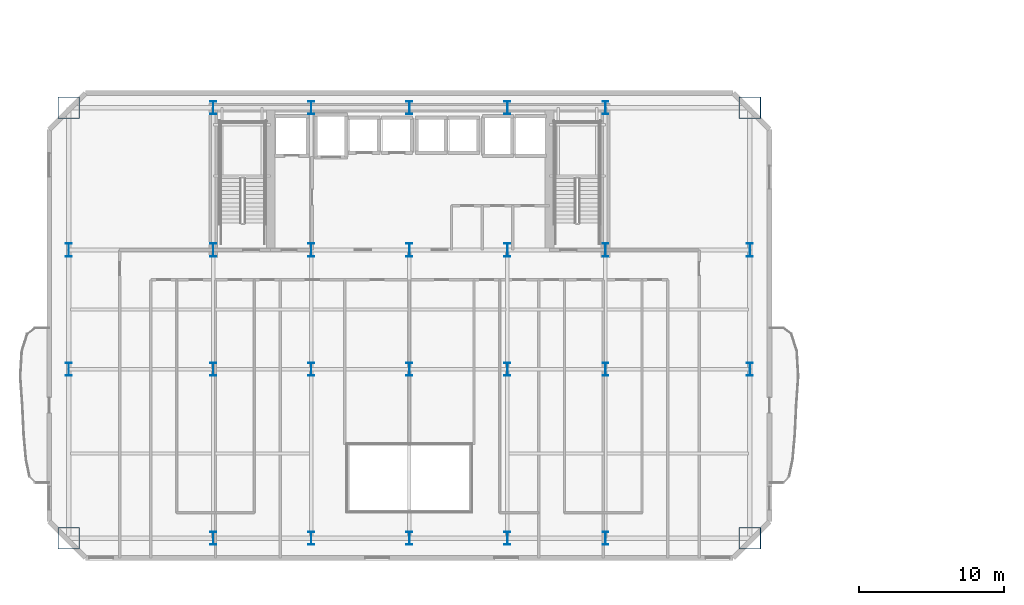
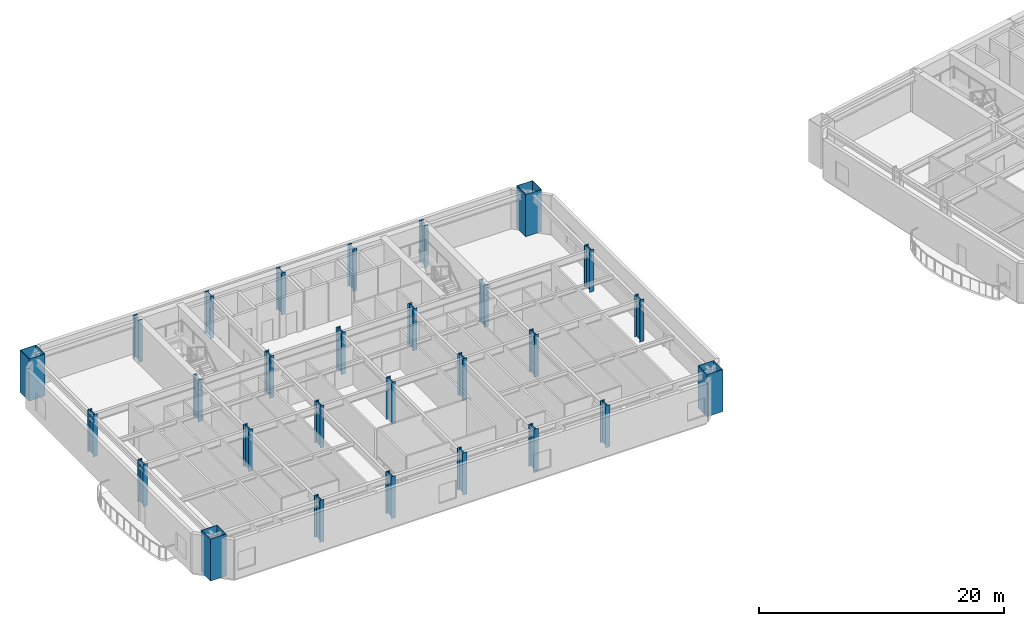
# One storey, part 1 of 15: 28 columns.
"""IFC4 building model written with IfcOpenShell, lengths in metres."""

from ifc_helpers import new_model, si_unit, direction, frame, origin, origin_2d, place, context, subcontext, project, spatial, hollow_rectangle, i_section, extrude, material, material_profile, profile_set, type_object, element, save


model = new_model("IFC4")

# Units and contexts
model_context = context("Model", 3, precision=1e-05, world=origin(), true_north=direction((0.0, 1.0)))
body_context = subcontext(model_context, "Body", "Model", "MODEL_VIEW")
ifc_project = project(units=[si_unit("LENGTHUNIT", "METRE"), si_unit("AREAUNIT", "SQUARE_METRE"), si_unit("VOLUMEUNIT", "CUBIC_METRE"), si_unit("PLANEANGLEUNIT", "RADIAN"), si_unit("MASSUNIT", "GRAM", prefix="KILO")], contexts=[model_context])

# Site, building, storey
site_placement = place(None, origin())
site = spatial("IfcSite", under=ifc_project, at=site_placement, CompositionType="ELEMENT")
building_placement = place(site_placement, origin())
building = spatial("IfcBuilding", under=site, at=building_placement, Name="Haevon Station Towers", CompositionType="ELEMENT")
storey_placement = place(building_placement, frame((0.0, 0.0, 73.5)))
storey = spatial("IfcBuildingStorey", under=building, at=storey_placement, Name="L19", CompositionType="ELEMENT", Elevation=73.5)

# Columns
ifc_material = material(Name="Steel S460", Category="steel")
ifc_material_profile_1 = material_profile(ifc_material, hollow_rectangle(XDim=1.5, YDim=1.5, WallThickness=0.0400390625, at=origin_2d()), Name="BOX-1500x1500x40")
ifc_profile_set_1 = profile_set([ifc_material_profile_1], Name="Steel S460")
column_type_1 = type_object("IfcColumnType", Name="COL-MC2", PredefinedType="COLUMN", material=ifc_profile_set_1)
for number, where, z_axis, x_axis, name in (
    (1, (14.050048828125, 18.35009765625, 0.0), (0.0, 0.0, 1.0), (1.0, 0.0, 0.0), "COL-T1-L19-01-01"),
    (2, (14.050048828125, 48.0, 0.0), (0.0, 0.0, 1.0), (1.0, 0.0, 0.0), "COL-T1-L19-01-04"),
    (3, (60.949951171875, 18.35009765625, 0.0), (0.0, 0.0, 1.0), (1.0, 0.0, 0.0), "COL-T1-L19-07-01"),
    (4, (60.949951171875, 48.0, 0.0), (0.0, 0.0, 1.0), (1.0, 0.0, 0.0), "COL-T1-L19-07-04"),
):
    element("IfcColumn", number, at=place(storey_placement, frame(where, z_axis=z_axis, x_axis=x_axis)), inside=storey, type_object=column_type_1, Name=name, PredefinedType="COLUMN", context=body_context, shape_type="SweptSolid", body=[
        extrude(hollow_rectangle(XDim=1.5, YDim=1.5, WallThickness=0.0400390625, at=origin_2d()), origin(), (0.0, 0.0, 1.0), 4.199951171875),
    ])
ifc_material_profile_2 = material_profile(ifc_material, i_section(OverallWidth=0.39990234375, OverallDepth=0.89990234375, WebThickness=0.02001953125, FlangeThickness=0.035888671875, at=origin_2d()), Name="H-900x400x20x36")
ifc_profile_set_2 = profile_set([ifc_material_profile_2], Name="Steel S460")
column_type_2 = type_object("IfcColumnType", Name="COL-TW1", PredefinedType="COLUMN", material=ifc_profile_set_2)
for number, where, z_axis, x_axis, name in (
    (5, (14.050048828125, 30.0, 0.0), (0.0, 0.0, 1.0), (1.0, 0.0, 0.0), "COL-T1-L19-01-02"),
    (6, (14.050048828125, 38.199951171875, 0.0), (0.0, 0.0, 1.0), (1.0, 0.0, 0.0), "COL-T1-L19-01-03"),
    (7, (24.0, 18.35009765625, 0.0), (0.0, 0.0, 1.0), (1.0, 0.0, 0.0), "COL-T1-L19-02-01"),
    (8, (24.0, 30.0, 0.0), (0.0, 0.0, 1.0), (1.0, 0.0, 0.0), "COL-T1-L19-02-02"),
    (9, (24.0, 38.199951171875, 0.0), (0.0, 0.0, 1.0), (1.0, 0.0, 0.0), "COL-T1-L19-02-03"),
    (10, (24.0, 48.0, 0.0), (0.0, 0.0, 1.0), (1.0, 0.0, 0.0), "COL-T1-L19-02-04"),
    (11, (30.75, 18.35009765625, 0.0), (0.0, 0.0, 1.0), (1.0, 0.0, 0.0), "COL-T1-L19-03-01"),
    (12, (30.75, 30.0, 0.0), (0.0, 0.0, 1.0), (1.0, 0.0, 0.0), "COL-T1-L19-03-02"),
    (13, (30.75, 38.199951171875, 0.0), (0.0, 0.0, 1.0), (1.0, 0.0, 0.0), "COL-T1-L19-03-03"),
    (14, (30.75, 48.0, 0.0), (0.0, 0.0, 1.0), (1.0, 0.0, 0.0), "COL-T1-L19-03-04"),
    (15, (37.5, 18.35009765625, 0.0), (0.0, 0.0, 1.0), (1.0, 0.0, 0.0), "COL-T1-L19-04-01"),
    (16, (37.5, 30.0, 0.0), (0.0, 0.0, 1.0), (1.0, 0.0, 0.0), "COL-T1-L19-04-02"),
    (17, (37.5, 38.199951171875, 0.0), (0.0, 0.0, 1.0), (1.0, 0.0, 0.0), "COL-T1-L19-04-03"),
    (18, (37.5, 48.0, 0.0), (0.0, 0.0, 1.0), (1.0, 0.0, 0.0), "COL-T1-L19-04-04"),
    (19, (44.25, 18.35009765625, 0.0), (0.0, 0.0, 1.0), (1.0, 0.0, 0.0), "COL-T1-L19-05-01"),
    (20, (44.25, 30.0, 0.0), (0.0, 0.0, 1.0), (1.0, 0.0, 0.0), "COL-T1-L19-05-02"),
    (21, (44.25, 38.199951171875, 0.0), (0.0, 0.0, 1.0), (1.0, 0.0, 0.0), "COL-T1-L19-05-03"),
    (22, (44.25, 48.0, 0.0), (0.0, 0.0, 1.0), (1.0, 0.0, 0.0), "COL-T1-L19-05-04"),
    (23, (51.0, 18.35009765625, 0.0), (0.0, 0.0, 1.0), (1.0, 0.0, 0.0), "COL-T1-L19-06-01"),
    (24, (51.0, 30.0, 0.0), (0.0, 0.0, 1.0), (1.0, 0.0, 0.0), "COL-T1-L19-06-02"),
    (25, (51.0, 38.199951171875, 0.0), (0.0, 0.0, 1.0), (1.0, 0.0, 0.0), "COL-T1-L19-06-03"),
    (26, (51.0, 48.0, 0.0), (0.0, 0.0, 1.0), (1.0, 0.0, 0.0), "COL-T1-L19-06-04"),
    (27, (60.949951171875, 30.0, 0.0), (0.0, 0.0, 1.0), (1.0, 0.0, 0.0), "COL-T1-L19-07-02"),
    (28, (60.949951171875, 38.199951171875, 0.0), (0.0, 0.0, 1.0), (1.0, 0.0, 0.0), "COL-T1-L19-07-03"),
):
    element("IfcColumn", number, at=place(storey_placement, frame(where, z_axis=z_axis, x_axis=x_axis)), inside=storey, type_object=column_type_2, Name=name, PredefinedType="COLUMN", context=body_context, shape_type="SweptSolid", body=[
        extrude(i_section(OverallWidth=0.39990234375, OverallDepth=0.89990234375, WebThickness=0.02001953125, FlangeThickness=0.035888671875, at=origin_2d()), origin(), (0.0, 0.0, 1.0), 4.199951171875),
    ])

save(model, "model.ifc")
